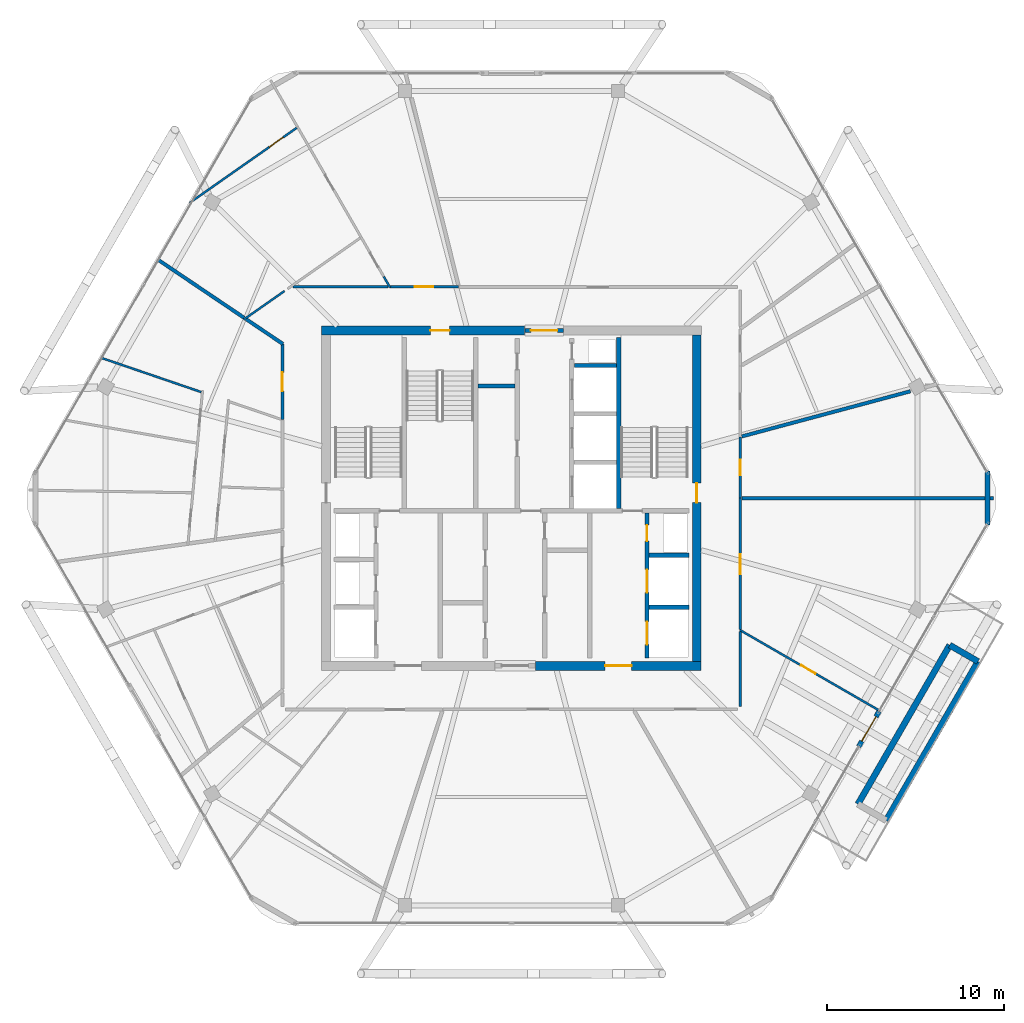
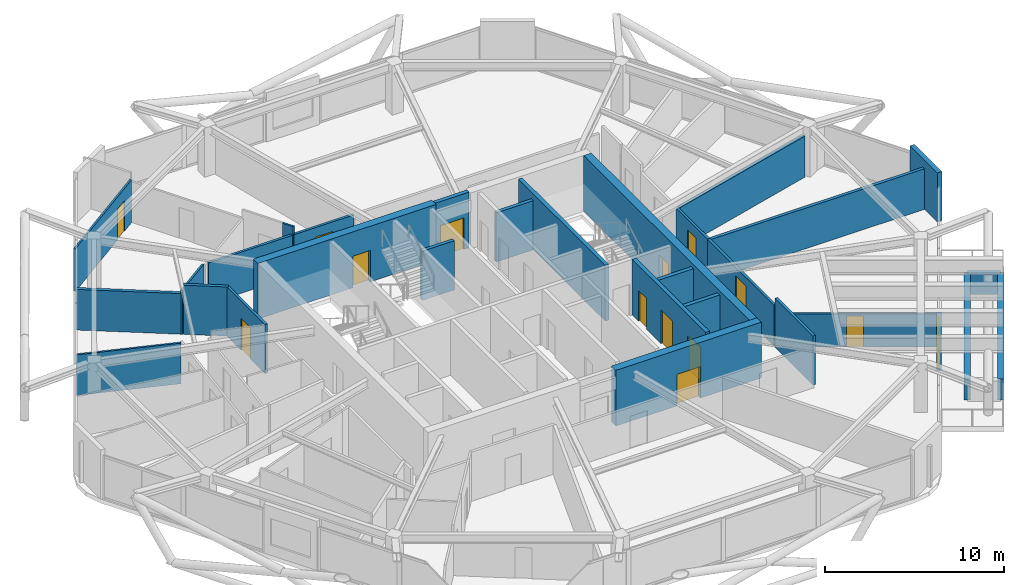
# One storey, part 19 of 23: 30 walls, 14 doors, 14 openings.
"""IFC4 building model written with IfcOpenShell, lengths in metres."""

from ifc_helpers import new_model, si_unit, direction, frame, frame_2d, origin, place, context, subcontext, project, spatial, rectangle, extrude, material, layer, layer_set, type_object, element, fill, save


model = new_model("IFC4")

# Units and contexts
model_context = context("Model", 3, precision=1e-05, world=origin(), true_north=direction((0.0, 1.0)))
body_context = subcontext(model_context, "Body", "Model", "MODEL_VIEW")
ifc_project = project(units=[si_unit("LENGTHUNIT", "METRE"), si_unit("AREAUNIT", "SQUARE_METRE"), si_unit("VOLUMEUNIT", "CUBIC_METRE"), si_unit("PLANEANGLEUNIT", "RADIAN"), si_unit("MASSUNIT", "GRAM", prefix="KILO")], contexts=[model_context])

# Site, building, storey
site_placement = place(None, origin())
site = spatial("IfcSite", under=ifc_project, at=site_placement, CompositionType="ELEMENT")
building_placement = place(site_placement, origin())
building = spatial("IfcBuilding", under=site, at=building_placement, Name="Zuhravey Tower", CompositionType="ELEMENT")
storey_placement = place(building_placement, frame((0.0, 0.0, 353.800048828125)))
storey = spatial("IfcBuildingStorey", under=building, at=storey_placement, Name="L90", CompositionType="ELEMENT", Elevation=353.800048828125)

# Wall, opening, door
ifc_material_1 = material(Name="Concrete C50/60", Category="concrete")
ifc_layer_1 = layer(ifc_material_1, 0.5)
ifc_layer_set_1 = layer_set([ifc_layer_1], Name="Concrete C50/60")
wall_type_1 = type_object("IfcWallType", Name="Core Shear Wall 500", PredefinedType="SHEAR", material=ifc_layer_set_1)
wall_1_placement = place(storey_placement, frame((37.35009765625, 22.5, 0.0), z_axis=(0.0, 0.0, 1.0), x_axis=(1.0, 0.0, 0.0)))
wall_1 = element("IfcWall", 1, at=wall_1_placement, inside=storey, type_object=wall_type_1, Name="L90 South-East Core Shear Wall CW50", PredefinedType="SHEAR", context=body_context, shape_type="SweptSolid", body=[
    extrude(rectangle(XDim=9.39990234375, YDim=0.5, at=frame_2d((4.699951171875, 0.0))), origin(), (0.0, 0.0, 1.0), 3.800048828125),
])
opening_1_placement = place(wall_1_placement, frame((3.949951171875, 0.0, 0.0)))
opening_1 = element("IfcOpeningElement", 2, at=opening_1_placement, cuts=wall_1, Name="Opening FFD1", PredefinedType="OPENING", context=body_context, shape_type="SweptSolid", body=[
    extrude(rectangle(XDim=1.5, YDim=2.14990234375, at=frame_2d((0.75, 1.074951171875))), frame((0.0, 0.261962890625, 0.0), z_axis=(0.0, -1.0, 0.0), x_axis=(1.0, 0.0, 0.0)), (0.0, 0.0, 1.0), 0.52392578125),
])
ifc_material_2 = material(Name="Galvanised fire-rated steel leaf", Category="steel")
door_type_1 = type_object("IfcDoorType", Name="Firefighting Lobby Double Door 1500x2150", OperationType="DOUBLE_DOOR_SINGLE_SWING", PredefinedType="DOOR", material=ifc_material_2)
door_1_placement = place(opening_1_placement, origin())
door_1 = element("IfcDoor", 3, at=door_1_placement, inside=storey, type_object=door_type_1, Name="L90 Firefighting Lobby East Door", OperationType="DOUBLE_DOOR_SINGLE_SWING", OverallHeight=2.14990234375, OverallWidth=1.5, PredefinedType="DOOR", context=body_context, shape_type="SweptSolid", body=[
    extrude(rectangle(XDim=1.5, YDim=2.14990234375, at=frame_2d((0.75, 1.074951171875))), frame((0.0, 0.02490234375, 0.0), z_axis=(0.0, -1.0, 0.0), x_axis=(1.0, 0.0, 0.0)), (0.0, 0.0, 1.0), 0.050048828125),
])
fill(opening_1, door_1)

wall_2_placement = place(storey_placement, frame((36.75, 41.5, 0.0), z_axis=(0.0, 0.0, 1.0), x_axis=(-1.0, 0.0, 0.0)))
wall_2 = element("IfcWall", 4, at=wall_2_placement, inside=storey, type_object=wall_type_1, Name="L90 North-West Core Shear Wall CW50", PredefinedType="SHEAR", context=body_context, shape_type="SweptSolid", body=[
    extrude(rectangle(XDim=11.5, YDim=0.5, at=frame_2d((5.75, 0.0))), origin(), (0.0, 0.0, 1.0), 3.800048828125),
])
opening_2_placement = place(wall_2_placement, frame((4.25, 0.0, 0.0)))
opening_2 = element("IfcOpeningElement", 5, at=opening_2_placement, cuts=wall_2, Name="Opening STD1", PredefinedType="OPENING", context=body_context, shape_type="SweptSolid", body=[
    extrude(rectangle(XDim=1.10009765625, YDim=2.14990234375, at=frame_2d((0.550048828125, 1.074951171875))), frame((0.0, 0.261962890625, 0.0), z_axis=(0.0, -1.0, 0.0), x_axis=(1.0, 0.0, 0.0)), (0.0, 0.0, 1.0), 0.52392578125),
])
door_type_2 = type_object("IfcDoorType", Name="Protected Stair Fire Door 1100x2150", OperationType="NOTDEFINED", PredefinedType="USERDEFINED", material=ifc_material_2)
door_2_placement = place(opening_2_placement, origin())
door_2 = element("IfcDoor", 6, at=door_2_placement, inside=storey, type_object=door_type_2, Name="L90 Stair ST3 Door", ObjectType="EXITDOOR", OperationType="SINGLE_SWING_RIGHT", OverallHeight=2.14990234375, OverallWidth=1.10009765625, PredefinedType="USERDEFINED", context=body_context, shape_type="SweptSolid", body=[
    extrude(rectangle(XDim=1.10009765625, YDim=2.14990234375, at=frame_2d((0.550048828125, 1.074951171875))), frame((0.0, 0.02490234375, 0.0), z_axis=(0.0, -1.0, 0.0), x_axis=(1.0, 0.0, 0.0)), (0.0, 0.0, 1.0), 0.050048828125),
])
fill(opening_2, door_2)

wall_3_placement = place(storey_placement, frame((46.5, 22.75, 0.0), z_axis=(0.0, 0.0, 1.0), x_axis=(0.0, 1.0, 0.0)))
wall_3 = element("IfcWall", 7, at=wall_3_placement, inside=storey, type_object=wall_type_1, Name="L90 East Core Shear Wall CW50", PredefinedType="SHEAR", context=body_context, shape_type="SweptSolid", body=[
    extrude(rectangle(XDim=18.5, YDim=0.5, at=frame_2d((9.25, 0.0))), origin(), (0.0, 0.0, 1.0), 3.800048828125),
])
opening_3_placement = place(wall_3_placement, frame((9.0, 0.0, 0.0)))
opening_3 = element("IfcOpeningElement", 8, at=opening_3_placement, cuts=wall_3, Name="Opening STD1", PredefinedType="OPENING", context=body_context, shape_type="SweptSolid", body=[
    extrude(rectangle(XDim=1.10009765625, YDim=2.14990234375, at=frame_2d((0.550048828125, 1.074951171875))), frame((0.0, 0.261962890625, 0.0), z_axis=(0.0, -1.0, 0.0), x_axis=(1.0, 0.0, 0.0)), (0.0, 0.0, 1.0), 0.52392578125),
])
door_3_placement = place(opening_3_placement, origin())
door_3 = element("IfcDoor", 9, at=door_3_placement, inside=storey, type_object=door_type_2, Name="L90 Stair ST2 Door", ObjectType="EXITDOOR", OperationType="SINGLE_SWING_LEFT", OverallHeight=2.14990234375, OverallWidth=1.10009765625, PredefinedType="USERDEFINED", context=body_context, shape_type="SweptSolid", body=[
    extrude(rectangle(XDim=1.10009765625, YDim=2.14990234375, at=frame_2d((0.550048828125, 1.074951171875))), frame((0.0, 0.02490234375, 0.0), z_axis=(0.0, -1.0, 0.0), x_axis=(1.0, 0.0, 0.0)), (0.0, 0.0, 1.0), 0.050048828125),
])
fill(opening_3, door_3)

ifc_material_3 = material(Name="Gypsum fire-rated stud partition")
ifc_layer_2 = layer(ifc_material_3, 0.159912109375)
ifc_layer_set_2 = layer_set([ifc_layer_2], Name="Gypsum fire-rated stud partition")
wall_type_2 = type_object("IfcWallType", Name="Corridor Fire Partition 160", PredefinedType="PARTITIONING", material=ifc_layer_set_2)
wall_4_placement = place(storey_placement, frame((48.9599609375, 24.563720703125, 0.0), z_axis=(0.0, 0.0, 1.0), x_axis=(0.0, 1.0, 0.0)))
wall_4 = element("IfcWall", 10, at=wall_4_placement, inside=storey, type_object=wall_type_2, Name="L90 IW16 Partition 023", PredefinedType="PARTITIONING", context=body_context, shape_type="SweptSolid", body=[
    extrude(rectangle(XDim=7.436279296875, YDim=0.159912109375, at=frame_2d((3.71826171875, 0.0))), origin(), (0.0, 0.0, 1.0), 2.800048828125),
])
opening_4_placement = place(wall_4_placement, frame((3.1201171875, 0.0, 0.0)))
opening_4 = element("IfcOpeningElement", 11, at=opening_4_placement, cuts=wall_4, Name="Opening CLD1", PredefinedType="OPENING", context=body_context, shape_type="SweptSolid", body=[
    extrude(rectangle(XDim=1.14990234375, YDim=2.199951171875, at=frame_2d((0.574951171875, 1.10009765625))), frame((0.0, 0.092041015625, 0.0), z_axis=(0.0, -1.0, 0.0), x_axis=(1.0, 0.0, 0.0)), (0.0, 0.0, 1.0), 0.183837890625),
])
ifc_material_4 = material(Name="Acoustic timber leaf with vision lite", Category="wood")
door_type_3 = type_object("IfcDoorType", Name="Classroom Acoustic Door 1150x2200", OperationType="NOTDEFINED", PredefinedType="DOOR", material=ifc_material_4)
door_4_placement = place(opening_4_placement, frame((1.14990234375, 0.0, 0.0), z_axis=(0.0, 0.0, 1.0), x_axis=(-1.0, 0.0, 0.0)))
door_4 = element("IfcDoor", 12, at=door_4_placement, inside=storey, type_object=door_type_3, Name="L90 Door 023.1", OperationType="SINGLE_SWING_RIGHT", OverallHeight=2.199951171875, OverallWidth=1.14990234375, PredefinedType="DOOR", context=body_context, shape_type="SweptSolid", body=[
    extrude(rectangle(XDim=1.14990234375, YDim=2.199951171875, at=frame_2d((0.574951171875, 1.10009765625))), frame((0.0, 0.02490234375, 0.0), z_axis=(0.0, -1.0, 0.0), x_axis=(1.0, 0.0, 0.0)), (0.0, 0.0, 1.0), 0.050048828125),
])
fill(opening_4, door_4)

wall_5_placement = place(storey_placement, frame((48.9599609375, 32.0, 0.0), z_axis=(0.0, 0.0, 1.0), x_axis=(0.0, 1.0, 0.0)))
wall_5 = element("IfcWall", 13, at=wall_5_placement, inside=storey, type_object=wall_type_2, Name="L90 IW16 Partition 024", PredefinedType="PARTITIONING", context=body_context, shape_type="SweptSolid", body=[
    extrude(rectangle(XDim=3.47265625, YDim=0.159912109375, at=frame_2d((1.736328125, 0.0))), origin(), (0.0, 0.0, 1.0), 2.800048828125),
])
opening_5_placement = place(wall_5_placement, frame((1.286376953125, 0.0, 0.0)))
opening_5 = element("IfcOpeningElement", 14, at=opening_5_placement, cuts=wall_5, Name="Opening RSD1", PredefinedType="OPENING", context=body_context, shape_type="SweptSolid", body=[
    extrude(rectangle(XDim=0.89990234375, YDim=2.10009765625, at=frame_2d((0.449951171875, 1.050048828125))), frame((0.0, 0.092041015625, 0.0), z_axis=(0.0, -1.0, 0.0), x_axis=(1.0, 0.0, 0.0)), (0.0, 0.0, 1.0), 0.183837890625),
])
ifc_material_5 = material(Name="Galvanised fire-rated steel access leaf", Category="steel")
door_type_4 = type_object("IfcDoorType", Name="Riser & Shaft Access Fire Door 900x2100", OperationType="NOTDEFINED", PredefinedType="DOOR", material=ifc_material_5)
door_5_placement = place(opening_5_placement, frame((0.89990234375, 0.0, 0.0), z_axis=(0.0, 0.0, 1.0), x_axis=(-1.0, 0.0, 0.0)))
door_5 = element("IfcDoor", 15, at=door_5_placement, inside=storey, type_object=door_type_4, Name="L90 Door 024.1", OperationType="SINGLE_SWING_LEFT", OverallHeight=2.10009765625, OverallWidth=0.89990234375, PredefinedType="DOOR", context=body_context, shape_type="SweptSolid", body=[
    extrude(rectangle(XDim=0.89990234375, YDim=2.10009765625, at=frame_2d((0.449951171875, 1.050048828125))), frame((0.0, 0.02490234375, 0.0), z_axis=(0.0, -1.0, 0.0), x_axis=(1.0, 0.0, 0.0)), (0.0, 0.0, 1.0), 0.050048828125),
])
fill(opening_5, door_5)

wall_6_placement = place(storey_placement, frame((32.992431640625, 43.97998046875, 0.0), z_axis=(0.0, 0.0, 1.0), x_axis=(-1.0, 0.0, 0.0)))
wall_6 = element("IfcWall", 16, at=wall_6_placement, inside=storey, type_object=wall_type_2, Name="L90 IW16 Partition 031", PredefinedType="PARTITIONING", context=body_context, shape_type="SweptSolid", body=[
    extrude(rectangle(XDim=3.874755859375, YDim=0.159912109375, at=frame_2d((1.9375, 0.0))), origin(), (0.0, 0.0, 1.0), 2.800048828125),
])
opening_6_placement = place(wall_6_placement, frame((1.412353515625, 0.0, 0.0)))
opening_6 = element("IfcOpeningElement", 17, at=opening_6_placement, cuts=wall_6, Name="Opening APD1", PredefinedType="OPENING", context=body_context, shape_type="SweptSolid", body=[
    extrude(rectangle(XDim=1.050048828125, YDim=2.14990234375, at=frame_2d((0.52490234375, 1.074951171875))), frame((0.0, 0.092041015625, 0.0), z_axis=(0.0, -1.0, 0.0), x_axis=(1.0, 0.0, 0.0)), (0.0, 0.0, 1.0), 0.183837890625),
])
ifc_material_6 = material(Name="Solid-core oak fire-rated leaf")
door_type_5 = type_object("IfcDoorType", Name="Apartment Entrance Fire Door 1050x2150", OperationType="NOTDEFINED", PredefinedType="DOOR", material=ifc_material_6)
door_6_placement = place(opening_6_placement, frame((1.050048828125, 0.0, 0.0), z_axis=(0.0, 0.0, 1.0), x_axis=(-1.0, 0.0, 0.0)))
door_6 = element("IfcDoor", 18, at=door_6_placement, inside=storey, type_object=door_type_5, Name="L90 Door 031.1", OperationType="SINGLE_SWING_RIGHT", OverallHeight=2.14990234375, OverallWidth=1.050048828125, PredefinedType="DOOR", context=body_context, shape_type="SweptSolid", body=[
    extrude(rectangle(XDim=1.050048828125, YDim=2.14990234375, at=frame_2d((0.52490234375, 1.074951171875))), frame((0.0, 0.02490234375, 0.0), z_axis=(0.0, -1.0, 0.0), x_axis=(1.0, 0.0, 0.0)), (0.0, 0.0, 1.0), 0.050048828125),
])
fill(opening_6, door_6)

wall_7_placement = place(storey_placement, frame((23.02001953125, 40.73095703125, 0.0), z_axis=(0.0, 0.0, 1.0), x_axis=(0.0, -1.0, 0.0)))
wall_7 = element("IfcWall", 19, at=wall_7_placement, inside=storey, type_object=wall_type_2, Name="L90 IW16 Partition 034", PredefinedType="PARTITIONING", context=body_context, shape_type="SweptSolid", body=[
    extrude(rectangle(XDim=4.270751953125, YDim=0.159912109375, at=frame_2d((2.13525390625, 0.0))), origin(), (0.0, 0.0, 1.0), 3.349853515625),
])
opening_7_placement = place(wall_7_placement, frame((1.610595703125, 0.0, 0.0)))
opening_7 = element("IfcOpeningElement", 20, at=opening_7_placement, cuts=wall_7, Name="Opening APD1", PredefinedType="OPENING", context=body_context, shape_type="SweptSolid", body=[
    extrude(rectangle(XDim=1.050048828125, YDim=2.14990234375, at=frame_2d((0.52490234375, 1.074951171875))), frame((0.0, 0.092041015625, 0.0), z_axis=(0.0, -1.0, 0.0), x_axis=(1.0, 0.0, 0.0)), (0.0, 0.0, 1.0), 0.183837890625),
])
door_7_placement = place(opening_7_placement, frame((1.050048828125, 0.0, 0.0), z_axis=(0.0, 0.0, 1.0), x_axis=(-1.0, 0.0, 0.0)))
door_7 = element("IfcDoor", 21, at=door_7_placement, inside=storey, type_object=door_type_5, Name="L90 Door 034.1", OperationType="SINGLE_SWING_RIGHT", OverallHeight=2.14990234375, OverallWidth=1.050048828125, PredefinedType="DOOR", context=body_context, shape_type="SweptSolid", body=[
    extrude(rectangle(XDim=1.050048828125, YDim=2.14990234375, at=frame_2d((0.52490234375, 1.074951171875))), frame((0.0, 0.02490234375, 0.0), z_axis=(0.0, -1.0, 0.0), x_axis=(1.0, 0.0, 0.0)), (0.0, 0.0, 1.0), 0.050048828125),
])
fill(opening_7, door_7)

# Walls
wall_8_placement = place(storey_placement, frame((48.9599609375, 20.199951171875, 0.0), z_axis=(0.0, 0.0, 1.0), x_axis=(0.0, 1.0, 0.0)))
element("IfcWall", 22, at=wall_8_placement, inside=storey, type_object=wall_type_2, Name="L90 IW16 Partition 050", PredefinedType="PARTITIONING", context=body_context, shape_type="SweptSolid", body=[
    extrude(rectangle(XDim=4.239013671875, YDim=0.159912109375, at=frame_2d((2.11962890625, 0.0))), origin(), (0.0, 0.0, 1.0), 3.349853515625),
])
wall_9_placement = place(storey_placement, frame((29.01611328125, 43.97998046875, 0.0), z_axis=(0.0, 0.0, 1.0), x_axis=(-1.0, 0.0, 0.0)))
element("IfcWall", 23, at=wall_9_placement, inside=storey, type_object=wall_type_2, Name="L90 IW16 Partition 083", PredefinedType="PARTITIONING", context=body_context, shape_type="SweptSolid", body=[
    extrude(rectangle(XDim=5.40576171875, YDim=0.159912109375, at=frame_2d((2.702880859375, 0.0))), origin(), (0.0, 0.0, 1.0), 2.800048828125),
])

# Wall, opening, door
ifc_material_7 = material(Name="Precast concrete C40/50", Category="concrete")
ifc_layer_3 = layer(ifc_material_7, 0.280029296875)
ifc_layer_set_3 = layer_set([ifc_layer_3], Name="Precast concrete C40/50")
wall_type_3 = type_object("IfcWallType", Name="Crown Architectural Wall 280", PredefinedType="SOLIDWALL", material=ifc_layer_set_3)
wall_10_placement = place(storey_placement, frame((56.8212890625, 19.915283203125, 0.0), z_axis=(0.0, 0.0, 1.0), x_axis=(-0.500014693593, -0.866016920268, 0.0)))
wall_10 = element("IfcWall", 24, at=wall_10_placement, inside=storey, type_object=wall_type_3, Name="L90 Face 6 Facade Pier EW28-1", PredefinedType="SOLIDWALL", context=body_context, shape_type="SweptSolid", body=[
    extrude(rectangle(XDim=2.2900390625, YDim=0.280029296875, at=frame_2d((1.14501953125, 0.0))), origin(), (0.0, 0.0, 1.0), 2.3798828125),
])
opening_8_placement = place(wall_10_placement, frame((0.344970703125, 0.0, 0.0)))
opening_8 = element("IfcOpeningElement", 25, at=opening_8_placement, cuts=wall_10, Name="Opening SPD1", PredefinedType="OPENING", context=body_context, shape_type="SweptSolid", body=[
    extrude(rectangle(XDim=1.60009765625, YDim=2.300048828125, at=frame_2d((0.800048828125, 1.14990234375))), frame((0.0, 0.152099609375, 0.0), z_axis=(0.0, -1.0, 0.0), x_axis=(1.0, 0.0, 0.0)), (0.0, 0.0, 1.0), 0.303955078125),
])
ifc_material_8 = material(Name="Thermally broken aluminium and low-E glass", Category="aluminium")
door_type_6 = type_object("IfcDoorType", Name="Sky-Pool Terrace Double Door 1600x2300", OperationType="DOUBLE_DOOR_SINGLE_SWING", PredefinedType="DOOR", material=ifc_material_8)
door_8_placement = place(opening_8_placement, frame((1.60009765625, 0.0, 0.0), z_axis=(0.0, 0.0, 1.0), x_axis=(-1.0, 0.0, 0.0)))
door_8 = element("IfcDoor", 26, at=door_8_placement, inside=storey, type_object=door_type_6, Name="L90 Sky-Pool Observatory Lounge West Terrace Door", OperationType="DOUBLE_DOOR_SINGLE_SWING", OverallHeight=2.300048828125, OverallWidth=1.60009765625, PredefinedType="DOOR", context=body_context, shape_type="SweptSolid", body=[
    extrude(rectangle(XDim=1.60009765625, YDim=2.300048828125, at=frame_2d((0.800048828125, 1.14990234375))), frame((0.0, 0.02490234375, 0.0), z_axis=(0.0, -1.0, 0.0), x_axis=(1.0, 0.0, 0.0)), (0.0, 0.0, 1.0), 0.050048828125),
])
fill(opening_8, door_8)

# Wall
wall_11_placement = place(storey_placement, frame((62.968505859375, 33.532470703125, 0.0), z_axis=(0.0, 0.0, 1.0), x_axis=(0.0, -1.0, 0.0)))
element("IfcWall", 27, at=wall_11_placement, inside=storey, type_object=wall_type_3, Name="L90 Rounded Corner Closure Wall EW28-12", PredefinedType="SOLIDWALL", context=body_context, shape_type="SweptSolid", body=[
    extrude(rectangle(XDim=3.06494140625, YDim=0.280029296875, at=frame_2d((1.532470703125, 0.0))), origin(), (0.0, 0.0, 1.0), 3.349853515625),
])

# Wall, opening, door
ifc_layer_4 = layer(ifc_material_1, 0.25)
ifc_layer_set_4 = layer_set([ifc_layer_4], Name="Concrete C50/60")
wall_type_4 = type_object("IfcWallType", Name="Firefighting Shaft & Stair Wall 250", PredefinedType="SOLIDWALL", material=ifc_layer_set_4)
wall_12_placement = place(storey_placement, frame((36.760009765625, 41.5, 0.0), z_axis=(0.0, 0.0, 1.0), x_axis=(1.0, 0.0, 0.0)))
wall_12 = element("IfcWall", 28, at=wall_12_placement, inside=storey, type_object=wall_type_4, Name="L90 FW25 Shaft Wall 002", PredefinedType="SOLIDWALL", context=body_context, shape_type="SweptSolid", body=[
    extrude(rectangle(XDim=2.179931640625, YDim=0.25, at=frame_2d((1.08984375, 0.0))), origin(), (0.0, 0.0, 1.0), 3.800048828125),
])
opening_9_placement = place(wall_12_placement, frame((0.340087890625, 0.0, 0.0)))
opening_9 = element("IfcOpeningElement", 29, at=opening_9_placement, cuts=wall_12, Name="Opening FFD1", PredefinedType="OPENING", context=body_context, shape_type="SweptSolid", body=[
    extrude(rectangle(XDim=1.5, YDim=2.14990234375, at=frame_2d((0.75, 1.074951171875))), frame((0.0, 0.136962890625, 0.0), z_axis=(0.0, -1.0, 0.0), x_axis=(1.0, 0.0, 0.0)), (0.0, 0.0, 1.0), 0.27392578125),
])
door_9_placement = place(opening_9_placement, origin())
door_9 = element("IfcDoor", 30, at=door_9_placement, inside=storey, type_object=door_type_1, Name="L90 North Lift Lobby Exit Door", OperationType="DOUBLE_DOOR_SINGLE_SWING", OverallHeight=2.14990234375, OverallWidth=1.5, PredefinedType="DOOR", context=body_context, shape_type="SweptSolid", body=[
    extrude(rectangle(XDim=1.5, YDim=2.14990234375, at=frame_2d((0.75, 1.074951171875))), frame((0.0, 0.02490234375, 0.0), z_axis=(0.0, -1.0, 0.0), x_axis=(1.0, 0.0, 0.0)), (0.0, 0.0, 1.0), 0.050048828125),
])
fill(opening_9, door_9)

# Walls
wall_13_placement = place(storey_placement, frame((42.074951171875, 31.39990234375, 0.0), z_axis=(0.0, 0.0, 1.0), x_axis=(0.0, 1.0, 0.0)))
element("IfcWall", 31, at=wall_13_placement, inside=storey, type_object=wall_type_4, Name="L90 FW25 Shaft Wall 006", PredefinedType="SOLIDWALL", context=body_context, shape_type="SweptSolid", body=[
    extrude(rectangle(XDim=9.7001953125, YDim=0.25, at=frame_2d((4.85009765625, 0.0))), origin(), (0.0, 0.0, 1.0), 3.800048828125),
])
for number, where, z_axis, x_axis, name in (
    (32, (43.800048828125, 25.824951171875, 0.0), (0.0, 0.0, 1.0), (1.0, 0.0, 0.0), "L90 FW25 Shaft Wall 018"),
    (33, (43.800048828125, 28.77490234375, 0.0), (0.0, 0.0, 1.0), (1.0, 0.0, 0.0), "L90 FW25 Shaft Wall 019"),
):
    element("IfcWall", number, at=place(storey_placement, frame(where, z_axis=z_axis, x_axis=x_axis)), inside=storey, type_object=wall_type_4, Name=name, PredefinedType="SOLIDWALL", context=body_context, shape_type="SweptSolid", body=[
        extrude(rectangle(XDim=2.25, YDim=0.25, at=frame_2d((1.125, 0.0))), origin(), (0.0, 0.0, 1.0), 3.800048828125),
    ])

# Wall, openings, doors
wall_14_placement = place(storey_placement, frame((43.675048828125, 22.949951171875, 0.0), z_axis=(0.0, 0.0, 1.0), x_axis=(0.0, 1.0, 0.0)))
wall_14 = element("IfcWall", 34, at=wall_14_placement, inside=storey, type_object=wall_type_4, Name="L90 FW25 Shaft Wall 020", PredefinedType="SOLIDWALL", context=body_context, shape_type="SweptSolid", body=[
    extrude(rectangle(XDim=8.199951171875, YDim=0.25, at=frame_2d((4.10009765625, 0.0))), origin(), (0.0, 0.0, 1.0), 3.800048828125),
])
opening_10_placement = place(wall_14_placement, frame((0.75, 0.0, 0.0)))
opening_10 = element("IfcOpeningElement", 35, at=opening_10_placement, cuts=wall_14, Name="Opening LD2", PredefinedType="OPENING", context=body_context, shape_type="SweptSolid", body=[
    extrude(rectangle(XDim=1.300048828125, YDim=2.300048828125, at=frame_2d((0.64990234375, 1.14990234375))), frame((0.0, 0.136962890625, 0.0), z_axis=(0.0, -1.0, 0.0), x_axis=(1.0, 0.0, 0.0)), (0.0, 0.0, 1.0), 0.27392578125),
])
opening_11_placement = place(wall_14_placement, frame((3.699951171875, 0.0, 0.0)))
opening_11 = element("IfcOpeningElement", 36, at=opening_11_placement, cuts=wall_14, Name="Opening LD2", PredefinedType="OPENING", context=body_context, shape_type="SweptSolid", body=[
    extrude(rectangle(XDim=1.300048828125, YDim=2.300048828125, at=frame_2d((0.64990234375, 1.14990234375))), frame((0.0, 0.136962890625, 0.0), z_axis=(0.0, -1.0, 0.0), x_axis=(1.0, 0.0, 0.0)), (0.0, 0.0, 1.0), 0.27392578125),
])
opening_12_placement = place(wall_14_placement, frame((6.6201171875, 0.0, 0.0)))
opening_12 = element("IfcOpeningElement", 37, at=opening_12_placement, cuts=wall_14, Name="Opening RSD1", PredefinedType="OPENING", context=body_context, shape_type="SweptSolid", body=[
    extrude(rectangle(XDim=0.89990234375, YDim=2.10009765625, at=frame_2d((0.449951171875, 1.050048828125))), frame((0.0, 0.136962890625, 0.0), z_axis=(0.0, -1.0, 0.0), x_axis=(1.0, 0.0, 0.0)), (0.0, 0.0, 1.0), 0.27392578125),
])
ifc_material_9 = material(Name="Brushed stainless steel", Category="steel")
door_type_7 = type_object("IfcDoorType", Name="Freight & Stretcher Lift Sliding Door 1300x2300", OperationType="DOUBLE_DOOR_SLIDING", PredefinedType="DOOR", material=ifc_material_9)
door_10_placement = place(opening_10_placement, origin())
door_10 = element("IfcDoor", 38, at=door_10_placement, inside=storey, type_object=door_type_7, Name="L90 Lift FF2 Landing Door", OperationType="DOUBLE_DOOR_SLIDING", OverallHeight=2.300048828125, OverallWidth=1.300048828125, PredefinedType="DOOR", context=body_context, shape_type="SweptSolid", body=[
    extrude(rectangle(XDim=1.300048828125, YDim=2.300048828125, at=frame_2d((0.64990234375, 1.14990234375))), frame((0.0, 0.02490234375, 0.0), z_axis=(0.0, -1.0, 0.0), x_axis=(1.0, 0.0, 0.0)), (0.0, 0.0, 1.0), 0.050048828125),
])
fill(opening_10, door_10)
door_11_placement = place(opening_11_placement, origin())
door_11 = element("IfcDoor", 39, at=door_11_placement, inside=storey, type_object=door_type_7, Name="L90 Lift SV1 Landing Door", OperationType="DOUBLE_DOOR_SLIDING", OverallHeight=2.300048828125, OverallWidth=1.300048828125, PredefinedType="DOOR", context=body_context, shape_type="SweptSolid", body=[
    extrude(rectangle(XDim=1.300048828125, YDim=2.300048828125, at=frame_2d((0.64990234375, 1.14990234375))), frame((0.0, 0.02490234375, 0.0), z_axis=(0.0, -1.0, 0.0), x_axis=(1.0, 0.0, 0.0)), (0.0, 0.0, 1.0), 0.050048828125),
])
fill(opening_11, door_11)
door_12_placement = place(opening_12_placement, origin())
door_12 = element("IfcDoor", 40, at=door_12_placement, inside=storey, type_object=door_type_4, Name="L90 Plumbing Riser Door", OperationType="SINGLE_SWING_LEFT", OverallHeight=2.10009765625, OverallWidth=0.89990234375, PredefinedType="DOOR", context=body_context, shape_type="SweptSolid", body=[
    extrude(rectangle(XDim=0.89990234375, YDim=2.10009765625, at=frame_2d((0.449951171875, 1.050048828125))), frame((0.0, 0.02490234375, 0.0), z_axis=(0.0, -1.0, 0.0), x_axis=(1.0, 0.0, 0.0)), (0.0, 0.0, 1.0), 0.050048828125),
])
fill(opening_12, door_12)

# Walls
ifc_material_10 = material(Name="Gypsum double-stud party assembly")
ifc_layer_5 = layer(ifc_material_10, 0.199951171875)
ifc_layer_set_5 = layer_set([ifc_layer_5], Name="Gypsum double-stud party assembly")
wall_type_5 = type_object("IfcWallType", Name="Inter-Tenancy Party Wall 200", PredefinedType="PARTITIONING", material=ifc_layer_set_5)
wall_15_placement = place(storey_placement, frame((49.048095703125, 32.0, 0.0), z_axis=(0.0, 0.0, 1.0), x_axis=(1.0, 0.0, 0.0)))
element("IfcWall", 41, at=wall_15_placement, inside=storey, type_object=wall_type_5, Name="L90 IW20 Partition 051", PredefinedType="PARTITIONING", context=body_context, shape_type="SweptSolid", body=[
    extrude(rectangle(XDim=14.270751953125, YDim=0.199951171875, at=frame_2d((7.13525390625, 0.0))), origin(), (0.0, 0.0, 1.0), 2.77001953125),
])
wall_16_placement = place(storey_placement, frame((49.048095703125, 35.49609375, 0.0), z_axis=(0.0, 0.0, 1.0), x_axis=(0.965923582375, 0.258827419358, 0.0)))
element("IfcWall", 42, at=wall_16_placement, inside=storey, type_object=wall_type_5, Name="L90 IW20 Partition 052", PredefinedType="PARTITIONING", context=body_context, shape_type="SweptSolid", body=[
    extrude(rectangle(XDim=9.88720703125, YDim=0.199951171875, at=frame_2d((4.943603515625, 0.0))), origin(), (0.0, 0.0, 1.0), 2.800048828125),
])
wall_17_placement = place(storey_placement, frame((23.0556640625, 40.73095703125, 0.0), z_axis=(0.0, 0.0, 1.0), x_axis=(-0.829030181168, 0.559203861497, 0.0)))
element("IfcWall", 43, at=wall_17_placement, inside=storey, type_object=wall_type_5, Name="L90 IW20 Partition 063", PredefinedType="PARTITIONING", context=body_context, shape_type="SweptSolid", body=[
    extrude(rectangle(XDim=2.510009765625, YDim=0.199951171875, at=frame_2d((1.2548828125, 0.0))), origin(), (0.0, 0.0, 1.0), 3.349853515625),
])
wall_18_placement = place(storey_placement, frame((20.85400390625, 42.216064453125, 0.0), z_axis=(0.0, 0.0, 1.0), x_axis=(-0.829040257145, 0.559188923382, 0.0)))
element("IfcWall", 44, at=wall_18_placement, inside=storey, type_object=wall_type_5, Name="L90 IW20 Partition 064", PredefinedType="PARTITIONING", context=body_context, shape_type="SweptSolid", body=[
    extrude(rectangle(XDim=5.863525390625, YDim=0.199951171875, at=frame_2d((2.931640625, 0.0))), origin(), (0.0, 0.0, 1.0), 2.77001953125),
])
ifc_material_11 = material(Name="Gypsum acoustic stud assembly")
ifc_layer_6 = layer(ifc_material_11, 0.219970703125)
ifc_layer_set_6 = layer_set([ifc_layer_6], Name="Gypsum acoustic stud assembly")
wall_type_6 = type_object("IfcWallType", Name="School Acoustic Compartment Wall 220", PredefinedType="PARTITIONING", material=ifc_layer_set_6)
wall_19_placement = place(storey_placement, frame((34.10791015625, 38.35009765625, 0.0), z_axis=(0.0, 0.0, 1.0), x_axis=(1.0, 0.0, 0.0)))
element("IfcWall", 45, at=wall_19_placement, inside=storey, type_object=wall_type_6, Name="L90 IW22 Partition 045", PredefinedType="PARTITIONING", context=body_context, shape_type="SweptSolid", body=[
    extrude(rectangle(XDim=2.083984375, YDim=0.219970703125, at=frame_2d((1.0419921875, 0.0))), origin(), (0.0, 0.0, 1.0), 3.349853515625),
])
wall_20_placement = place(storey_placement, frame((39.55810546875, 39.52490234375, 0.0), z_axis=(0.0, 0.0, 1.0), x_axis=(1.0, 0.0, 0.0)))
element("IfcWall", 46, at=wall_20_placement, inside=storey, type_object=wall_type_6, Name="L90 IW22 Partition 048", PredefinedType="PARTITIONING", context=body_context, shape_type="SweptSolid", body=[
    extrude(rectangle(XDim=2.3837890625, YDim=0.219970703125, at=frame_2d((1.19189453125, 0.0))), origin(), (0.0, 0.0, 1.0), 3.349853515625),
])
ifc_layer_7 = layer(ifc_material_1, 0.35009765625)
ifc_layer_set_7 = layer_set([ifc_layer_7], Name="Concrete C50/60")
wall_type_7 = type_object("IfcWallType", Name="Sky-Pool Basin Wall 350", PredefinedType="SOLIDWALL", material=ifc_layer_set_7)
wall_21_placement = place(storey_placement, frame((55.625732421875, 14.66455078125, 0.0), z_axis=(0.0, 0.0, 1.0), x_axis=(0.499989328369, 0.866031564966, 0.0)))
element("IfcWall", 47, at=wall_21_placement, inside=storey, type_object=wall_type_7, Name="L90 Sky-Pool Weir Wall SPW1-1", PredefinedType="SOLIDWALL", context=body_context, shape_type="SweptSolid", body=[
    extrude(rectangle(XDim=10.400146484375, YDim=0.35009765625, at=frame_2d((5.2001953125, 0.0))), origin(), (0.0, 0.0, 1.0), 1.39990234375),
])
wall_22_placement = place(storey_placement, frame((60.82568359375, 23.67138671875, 0.0), z_axis=(0.0, 0.0, 1.0), x_axis=(0.866033964044, -0.499985172903, 0.0)))
element("IfcWall", 48, at=wall_22_placement, inside=storey, type_object=wall_type_7, Name="L90 Sky-Pool Weir Wall SPW1-2", PredefinedType="SOLIDWALL", context=body_context, shape_type="SweptSolid", body=[
    extrude(rectangle(XDim=1.85009765625, YDim=0.35009765625, at=frame_2d((0.925048828125, 0.0))), origin(), (0.0, 0.0, 1.0), 1.39990234375),
])
wall_23_placement = place(storey_placement, frame((62.427978515625, 22.746337890625, 0.0), z_axis=(0.0, 0.0, 1.0), x_axis=(-0.500006934395, -0.866021400173, 0.0)))
element("IfcWall", 49, at=wall_23_placement, inside=storey, type_object=wall_type_7, Name="L90 Sky-Pool Weir Wall SPW1-3", PredefinedType="SOLIDWALL", context=body_context, shape_type="SweptSolid", body=[
    extrude(rectangle(XDim=10.400146484375, YDim=0.35009765625, at=frame_2d((5.2001953125, 0.0))), origin(), (0.0, 0.0, 1.0), 1.39990234375),
])

# Wall, opening, door
ifc_material_12 = material(Name="Gypsum metal-stud partition")
ifc_layer_8 = layer(ifc_material_12, 0.1201171875)
ifc_layer_set_8 = layer_set([ifc_layer_8], Name="Gypsum metal-stud partition")
wall_type_8 = type_object("IfcWallType", Name="Unit Internal Partition 120", PredefinedType="PARTITIONING", material=ifc_layer_set_8)
wall_24_placement = place(storey_placement, frame((48.93994140625, 24.529052734375, 0.0), z_axis=(0.0, 0.0, 1.0), x_axis=(0.866028436312, -0.499994747472, 0.0)))
wall_24 = element("IfcWall", 50, at=wall_24_placement, inside=storey, type_object=wall_type_8, Name="L90 IW12 Partition 021", PredefinedType="PARTITIONING", context=body_context, shape_type="SweptSolid", body=[
    extrude(rectangle(XDim=9.13232421875, YDim=0.1201171875, at=frame_2d((4.566162109375, 0.0))), origin(), (0.0, 0.0, 1.0), 2.25),
])
opening_13_placement = place(wall_24_placement, frame((3.9912109375, 0.0, 0.0)))
opening_13 = element("IfcOpeningElement", 51, at=opening_13_placement, cuts=wall_24, Name="Opening IND1", PredefinedType="OPENING", context=body_context, shape_type="SweptSolid", body=[
    extrude(rectangle(XDim=0.949951171875, YDim=2.10009765625, at=frame_2d((0.47509765625, 1.050048828125))), frame((0.0, 0.072021484375, 0.0), z_axis=(0.0, -1.0, 0.0), x_axis=(1.0, 0.0, 0.0)), (0.0, 0.0, 1.0), 0.14404296875),
])
ifc_material_13 = material(Name="Painted engineered timber leaf", Category="wood")
door_type_8 = type_object("IfcDoorType", Name="Internal Room & Bedroom Door 950x2100", OperationType="NOTDEFINED", PredefinedType="DOOR", material=ifc_material_13)
door_13_placement = place(opening_13_placement, frame((0.949951171875, 0.0, 0.0), z_axis=(0.0, 0.0, 1.0), x_axis=(-1.0, 0.0, 0.0)))
door_13 = element("IfcDoor", 52, at=door_13_placement, inside=storey, type_object=door_type_8, Name="L90 Door 021.1", OperationType="SINGLE_SWING_RIGHT", OverallHeight=2.10009765625, OverallWidth=0.949951171875, PredefinedType="DOOR", context=body_context, shape_type="SweptSolid", body=[
    extrude(rectangle(XDim=0.949951171875, YDim=2.10009765625, at=frame_2d((0.47509765625, 1.050048828125))), frame((0.0, 0.02490234375, 0.0), z_axis=(0.0, -1.0, 0.0), x_axis=(1.0, 0.0, 0.0)), (0.0, 0.0, 1.0), 0.050048828125),
])
fill(opening_13, door_13)

wall_25_placement = place(storey_placement, frame((23.83056640625, 52.975830078125, 0.0), z_axis=(0.0, 0.0, 1.0), x_axis=(-0.819148211634, -0.573581909911, 0.0)))
wall_25 = element("IfcWall", 53, at=wall_25_placement, inside=storey, type_object=wall_type_8, Name="L90 IW12 Partition 030", PredefinedType="PARTITIONING", context=body_context, shape_type="SweptSolid", body=[
    extrude(rectangle(XDim=7.39990234375, YDim=0.1201171875, at=frame_2d((3.699951171875, 0.0))), origin(), (0.0, 0.0, 1.0), 2.921875),
])
opening_14_placement = place(wall_25_placement, frame((0.9404296875, 0.0, 0.0)))
opening_14 = element("IfcOpeningElement", 54, at=opening_14_placement, cuts=wall_25, Name="Opening IND1", PredefinedType="OPENING", context=body_context, shape_type="SweptSolid", body=[
    extrude(rectangle(XDim=0.949951171875, YDim=2.10009765625, at=frame_2d((0.47509765625, 1.050048828125))), frame((0.0, 0.072021484375, 0.0), z_axis=(0.0, -1.0, 0.0), x_axis=(1.0, 0.0, 0.0)), (0.0, 0.0, 1.0), 0.14404296875),
])
door_14_placement = place(opening_14_placement, frame((0.949951171875, 0.0, 0.0), z_axis=(0.0, 0.0, 1.0), x_axis=(-1.0, 0.0, 0.0)))
door_14 = element("IfcDoor", 55, at=door_14_placement, inside=storey, type_object=door_type_8, Name="Apartment L90-01 Bedroom 1 Door", OperationType="SINGLE_SWING_LEFT", OverallHeight=2.10009765625, OverallWidth=0.949951171875, PredefinedType="DOOR", context=body_context, shape_type="SweptSolid", body=[
    extrude(rectangle(XDim=0.949951171875, YDim=2.10009765625, at=frame_2d((0.47509765625, 1.050048828125))), frame((0.0, 0.02490234375, 0.0), z_axis=(0.0, -1.0, 0.0), x_axis=(1.0, 0.0, 0.0)), (0.0, 0.0, 1.0), 0.050048828125),
])
fill(opening_14, door_14)

# Walls
wall_26_placement = place(storey_placement, frame((29.11767578125, 43.93994140625, 0.0), z_axis=(0.0, 0.0, 1.0), x_axis=(-0.499532376604, 0.866295217997, 0.0)))
element("IfcWall", 56, at=wall_26_placement, inside=storey, type_object=wall_type_8, Name="L90 IW12 Partition 059", PredefinedType="PARTITIONING", context=body_context, shape_type="SweptSolid", body=[
    extrude(rectangle(XDim=0.704345703125, YDim=0.1201171875, at=frame_2d((0.35205078125, 0.0))), origin(), (0.0, 0.0, 1.0), 3.349853515625),
])
wall_27_placement = place(storey_placement, frame((23.139892578125, 43.733642578125, 0.0), z_axis=(0.0, 0.0, 1.0), x_axis=(-0.819170990497, -0.57354937741, 0.0)))
element("IfcWall", 57, at=wall_27_placement, inside=storey, type_object=wall_type_8, Name="L90 IW12 Partition 062", PredefinedType="PARTITIONING", context=body_context, shape_type="SweptSolid", body=[
    extrude(rectangle(XDim=2.823974609375, YDim=0.1201171875, at=frame_2d((1.412109375, 0.0))), origin(), (0.0, 0.0, 1.0), 3.0),
])
wall_28_placement = place(storey_placement, frame((18.423583984375, 38.0107421875, 0.0), z_axis=(0.0, 0.0, 1.0), x_axis=(-0.946192330219, 0.323604811822, 0.0)))
element("IfcWall", 58, at=wall_28_placement, inside=storey, type_object=wall_type_8, Name="L90 IW12 Partition 069", PredefinedType="PARTITIONING", context=body_context, shape_type="SweptSolid", body=[
    extrude(rectangle(XDim=5.96923828125, YDim=0.1201171875, at=frame_2d((2.984619140625, 0.0))), origin(), (0.0, 0.0, 1.0), 2.77001953125),
])

save(model, "model.ifc")
